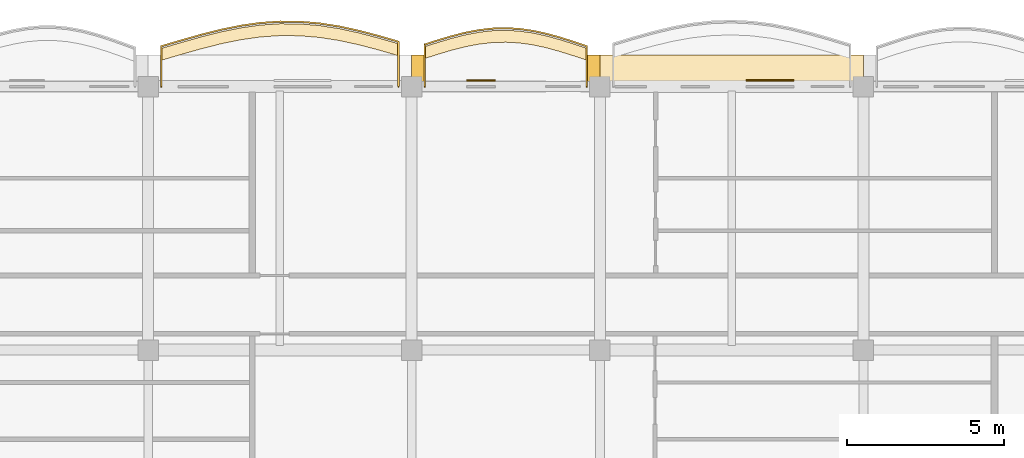
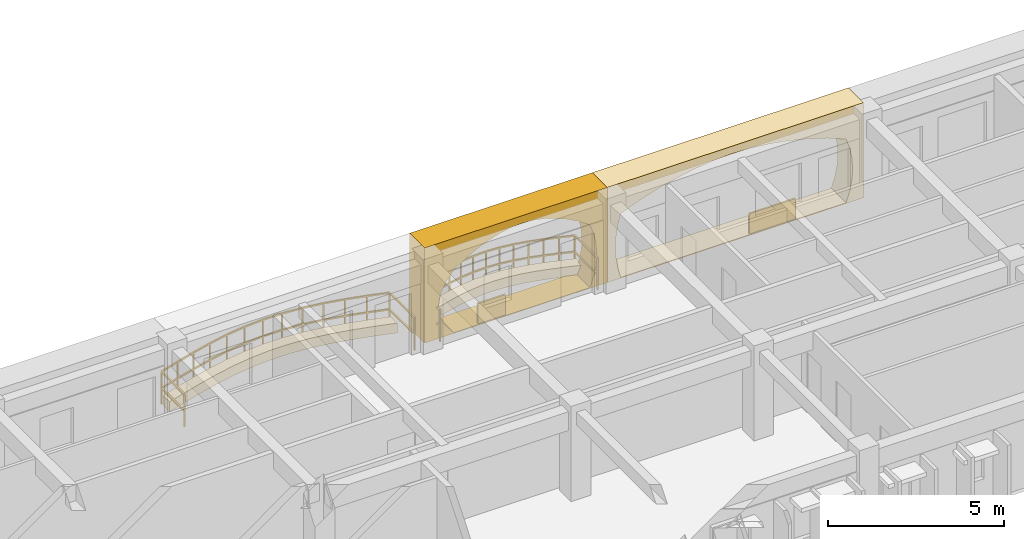
# One storey, part 66 of 79: 6 coverings, 2 railings.
"""IFC4 building model written with IfcOpenShell, lengths in metres."""

from ifc_helpers import new_model, si_unit, direction, frame, origin, origin_2d, place, context, subcontext, project, spatial, polyline, rectangle, outline, extrude, material, layer, layer_set, type_object, element, save


model = new_model("IFC4")

# Units and contexts
model_context = context("Model", 3, precision=1e-05, world=origin(), true_north=direction((0.0, 1.0)))
body_context = subcontext(model_context, "Body", "Model", "MODEL_VIEW")
ifc_project = project(units=[si_unit("LENGTHUNIT", "METRE"), si_unit("AREAUNIT", "SQUARE_METRE"), si_unit("VOLUMEUNIT", "CUBIC_METRE"), si_unit("PLANEANGLEUNIT", "RADIAN"), si_unit("MASSUNIT", "GRAM", prefix="KILO"), si_unit("THERMODYNAMICTEMPERATUREUNIT", "KELVIN")], contexts=[model_context])

# Site, building, storey
site_placement = place(None, origin())
site = spatial("IfcSite", under=ifc_project, at=site_placement, CompositionType="ELEMENT")
building_placement = place(site_placement, origin())
building = spatial("IfcBuilding", under=site, at=building_placement, Name="Thalorik Housing Commons", CompositionType="ELEMENT")
storey_placement = place(building_placement, frame((0.0, 0.0, 11.39990234375)))
storey = spatial("IfcBuildingStorey", under=building, at=storey_placement, Name="L03", CompositionType="ELEMENT", Elevation=11.39990234375)

# Coverings
ifc_material_1 = material(Name="Cobalt blue glazed ceramic facade tile panel", Category="masonry")
ifc_layer_1 = layer(ifc_material_1, 0.06005859375, Name="Cobalt blue glazed ceramic facade tile panel", Category="masonry")
ifc_layer_set_1 = layer_set([ifc_layer_1], Name="Cobalt blue glazed ceramic facade tile panel")
covering_type_1 = type_object("IfcCoveringType", Name="ARC-CLD-BLU-60", PredefinedType="CLADDING", material=ifc_layer_set_1)
covering_1_placement = place(storey_placement, frame((111.409912109375, 123.794921875, 0.05029296875), z_axis=(0.0, 0.0, 1.0), x_axis=(-1.0, 0.0, 0.0)))
element("IfcCovering", 1, at=covering_1_placement, inside=storey, type_object=covering_type_1, Name="L03 De Stijl Recessed Window Spandrel 1865", PredefinedType="CLADDING", context=body_context, shape_type="SweptSolid", body=[
    extrude(rectangle(XDim=0.89990234375, YDim=0.06005859375, at=origin_2d()), origin(), (0.0, 0.0, 1.0), 0.699951171875),
])
ifc_material_2 = material(Name="Precast concrete C40/50", Category="concrete")
ifc_layer_2 = layer(ifc_material_2, 0.85009765625, Name="Precast concrete C40/50", Category="concrete")
ifc_layer_set_2 = layer_set([ifc_layer_2], Name="Precast concrete C40/50")
covering_type_2 = type_object("IfcCoveringType", Name="ARC-CLD-CUSH-850", PredefinedType="CLADDING", material=ifc_layer_set_2)
covering_2_placement = place(storey_placement, frame((119.39990234375, 124.18505859375, 0.0), z_axis=(0.0, 0.0, 1.0), x_axis=(-1.0, 0.0, 0.0)))
element("IfcCovering", 2, at=covering_2_placement, inside=storey, type_object=covering_type_2, Name="L03 White Precast Curved Cushion Bay Frame 1862", PredefinedType="CLADDING", context=body_context, shape_type="SweptSolid", body=[
    extrude(outline(polyline([(-4.199951171875, 0.0), (4.199951171875, 0.0), (4.199951171875, 3.300048828125), (-4.199951171875, 3.300048828125), (-4.199951171875, 0.0)]), holes=[polyline([(3.7666015625, 0.02490234375), (3.858154296875, 0.394287109375), (3.9130859375, 0.76318359375), (3.931396484375, 1.132568359375), (3.9130859375, 1.501708984375), (3.858154296875, 1.870849609375), (3.7666015625, 2.239990234375), (3.150146484375, 2.4833984375), (2.53369140625, 2.6748046875), (1.91748046875, 2.82958984375), (1.301025390625, 2.94482421875), (0.684814453125, 3.01611328125), (0.068359375, 3.0400390625), (-0.548095703125, 3.01611328125), (-1.16455078125, 2.94482421875), (-1.781005859375, 2.82958984375), (-2.397216796875, 2.6748046875), (-3.013671875, 2.4833984375), (-3.6298828125, 2.239990234375), (-3.750244140625, 1.870849609375), (-3.822509765625, 1.501708984375), (-3.8466796875, 1.132568359375), (-3.822509765625, 0.76318359375), (-3.750244140625, 0.394287109375), (-3.6298828125, 0.02490234375), (3.7666015625, 0.02490234375)])]), frame((0.0, 0.425048828125, 0.0), z_axis=(0.0, -1.0, 0.0), x_axis=(1.0, 0.0, 0.0)), (0.0, 0.0, 1.0), 0.85009765625),
])
covering_3_placement = place(storey_placement, frame((112.199951171875, 124.18505859375, 0.0), z_axis=(0.0, 0.0, 1.0), x_axis=(-1.0, 0.0, 0.0)))
element("IfcCovering", 3, at=covering_3_placement, inside=storey, type_object=covering_type_2, Name="L03 White Precast Curved Cushion Bay Frame 1864", PredefinedType="CLADDING", context=body_context, shape_type="SweptSolid", body=[
    extrude(outline(polyline([(-3.0, 0.0), (3.0, 0.0), (3.0, 3.300048828125), (-3.0, 3.300048828125), (-3.0, 0.0)]), holes=[polyline([(2.0400390625, 0.02490234375), (2.3232421875, 0.387451171875), (2.493408203125, 0.75), (2.550048828125, 1.112548828125), (2.493408203125, 1.47509765625), (2.3232421875, 1.83740234375), (2.0400390625, 2.199951171875), (1.66748046875, 2.455810546875), (1.294921875, 2.656494140625), (0.922607421875, 2.819091796875), (0.550048828125, 2.940185546875), (0.177490234375, 3.014892578125), (-0.195068359375, 3.0400390625), (-0.5673828125, 3.014892578125), (-0.93994140625, 2.940185546875), (-1.3125, 2.819091796875), (-1.68505859375, 2.656494140625), (-2.0576171875, 2.455810546875), (-2.429931640625, 2.199951171875), (-2.55029296875, 1.83740234375), (-2.62255859375, 1.47509765625), (-2.646484375, 1.112548828125), (-2.62255859375, 0.75), (-2.55029296875, 0.387451171875), (-2.429931640625, 0.02490234375), (2.0400390625, 0.02490234375)])]), frame((0.0, 0.425048828125, 0.0), z_axis=(0.0, -1.0, 0.0), x_axis=(1.0, 0.0, 0.0)), (0.0, 0.0, 1.0), 0.85009765625),
])
ifc_material_3 = material(Name="Terracotta red mineral fibre-cement panel", Category="masonry")
ifc_layer_3 = layer(ifc_material_3, 0.054931640625, Name="Terracotta red mineral fibre-cement panel", Category="masonry")
ifc_layer_set_3 = layer_set([ifc_layer_3], Name="Terracotta red mineral fibre-cement panel")
covering_type_3 = type_object("IfcCoveringType", Name="ARC-CLD-RED-55", PredefinedType="CLADDING", material=ifc_layer_set_3)
covering_4_placement = place(storey_placement, frame((120.619140625, 123.79248046875, 0.05029296875), z_axis=(0.0, 0.0, 1.0), x_axis=(-1.0, 0.0, 0.0)))
element("IfcCovering", 4, at=covering_4_placement, inside=storey, type_object=covering_type_3, Name="L03 De Stijl Recessed Window Spandrel 1863", PredefinedType="CLADDING", context=body_context, shape_type="SweptSolid", body=[
    extrude(rectangle(XDim=1.52001953125, YDim=0.054931640625, at=origin_2d()), origin(), (0.0, 0.0, 1.0), 0.699951171875),
])
ifc_material_4 = material(Name="Planted vegetated substrate and terracotta trough", Category="masonry")
ifc_layer_4 = layer(ifc_material_4, 0.340087890625, Name="Planted vegetated substrate and terracotta trough", Category="masonry")
ifc_layer_set_4 = layer_set([ifc_layer_4], Name="Planted vegetated substrate and terracotta trough")
covering_type_4 = type_object("IfcCoveringType", Name="ARC-COV-PLANTER", PredefinedType="USERDEFINED", material=ifc_layer_set_4)
covering_5_placement = place(storey_placement, origin())
element("IfcCovering", 5, at=covering_5_placement, inside=storey, type_object=covering_type_4, Name="L03 Balcony Slab-Edge Planted Trough 5437", ObjectType="PLANTER", PredefinedType="USERDEFINED", context=body_context, shape_type="SweptSolid", body=[
    extrude(outline(polyline([(108.780029296875, 124.9638671875), (108.14990234375, 125.14697265625), (107.52001953125, 125.3125), (106.889892578125, 125.448974609375), (106.260009765625, 125.54736328125), (105.6298828125, 125.6005859375), (105.0, 125.60546875), (104.3701171875, 125.561279296875), (103.739990234375, 125.4716796875), (103.110107421875, 125.342529296875), (102.47998046875, 125.183349609375), (101.85009765625, 125.0048828125), (101.219970703125, 124.8193359375), (101.219970703125, 124.439453125), (101.85009765625, 124.624755859375), (102.47998046875, 124.80322265625), (103.110107421875, 124.962646484375), (103.739990234375, 125.091796875), (104.3701171875, 125.181396484375), (105.0, 125.225341796875), (105.6298828125, 125.220703125), (106.260009765625, 125.16748046875), (106.889892578125, 125.069091796875), (107.52001953125, 124.932373046875), (108.14990234375, 124.766845703125), (108.780029296875, 124.583740234375), (108.780029296875, 124.9638671875)])), origin(), (0.0, 0.0, 1.0), 0.340087890625),
])
covering_6_placement = place(storey_placement, origin())
element("IfcCovering", 6, at=covering_6_placement, inside=storey, type_object=covering_type_4, Name="L03 Balcony Slab-Edge Planted Trough 5438", ObjectType="PLANTER", PredefinedType="USERDEFINED", context=body_context, shape_type="SweptSolid", body=[
    extrude(outline(polyline([(114.780029296875, 124.82177734375), (114.35009765625, 124.964599609375), (113.919921875, 125.099853515625), (113.489990234375, 125.218017578125), (113.06005859375, 125.310791015625), (112.6298828125, 125.37158203125), (112.199951171875, 125.39599609375), (111.77001953125, 125.383056640625), (111.340087890625, 125.333251953125), (110.909912109375, 125.2509765625), (110.47998046875, 125.141845703125), (110.050048828125, 125.014404296875), (109.6201171875, 124.877197265625), (109.6201171875, 124.497314453125), (110.050048828125, 124.63427734375), (110.47998046875, 124.761962890625), (110.909912109375, 124.87109375), (111.340087890625, 124.953369140625), (111.77001953125, 125.0029296875), (112.199951171875, 125.01611328125), (112.6298828125, 124.991455078125), (113.06005859375, 124.930908203125), (113.489990234375, 124.838134765625), (113.919921875, 124.719970703125), (114.35009765625, 124.584716796875), (114.780029296875, 124.441650390625), (114.780029296875, 124.82177734375)])), origin(), (0.0, 0.0, 1.0), 0.340087890625),
])

# Railings
ifc_material_5 = material(Name="Steel S355", Category="steel")
railing_type_1 = type_object("IfcRailingType", Name="ARC-RL-BAL-112", PredefinedType="BALUSTRADE", material=ifc_material_5)
railing_1_placement = place(storey_placement, frame((114.780029296875, 123.60009765625, 0.0)))
element("IfcRailing", 7, at=railing_1_placement, inside=storey, type_object=railing_type_1, Name="L03 Cushion Balcony Guardrail 122", PredefinedType="BALUSTRADE", context=body_context, shape_type="SweptSolid", body=[
    extrude(rectangle(XDim=0.050048828125, YDim=0.050048828125, at=origin_2d()), frame((0.0, 0.0, 1.09521484375), z_axis=(0.0, 1.0, 0.0), x_axis=(-1.0, 0.0, 0.0)), (0.0, 0.0, 1.0), 1.29150390625),
    extrude(rectangle(XDim=0.050048828125, YDim=0.050048828125, at=origin_2d()), frame((0.0, 0.0, 0.53515625), z_axis=(0.0, 1.0, 0.0), x_axis=(-1.0, 0.0, 0.0)), (0.0, 0.0, 1.0), 1.29150390625),
    extrude(rectangle(XDim=0.050048828125, YDim=0.050048828125, at=origin_2d()), frame((0.0, 1.29150390625, 1.09521484375), z_axis=(-0.948844817182, 0.315742795496, 0.0), x_axis=(-0.315742795496, -0.948844817182, 0.0)), (0.0, 0.0, 1.0), 0.453125),
    extrude(rectangle(XDim=0.050048828125, YDim=0.050048828125, at=origin_2d()), frame((0.0, 1.29150390625, 0.53515625), z_axis=(-0.948844817182, 0.315742795496, 0.0), x_axis=(-0.315742795496, -0.948844817182, 0.0)), (0.0, 0.0, 1.0), 0.453125),
    extrude(rectangle(XDim=0.050048828125, YDim=0.050048828125, at=origin_2d()), frame((-0.429931640625, 1.4345703125, 1.09521484375), z_axis=(-0.953958313689, 0.299939220082, 0.0), x_axis=(-0.299939220082, -0.953958313689, 0.0)), (0.0, 0.0, 1.0), 0.450927734375),
    extrude(rectangle(XDim=0.050048828125, YDim=0.050048828125, at=origin_2d()), frame((-0.429931640625, 1.4345703125, 0.53515625), z_axis=(-0.953958313689, 0.299939220082, 0.0), x_axis=(-0.299939220082, -0.953958313689, 0.0)), (0.0, 0.0, 1.0), 0.450927734375),
    extrude(rectangle(XDim=0.050048828125, YDim=0.050048828125, at=origin_2d()), frame((-0.860107421875, 1.56982421875, 1.09521484375), z_axis=(-0.964243880098, 0.265016489476, 0.0), x_axis=(-0.265016489476, -0.964243880098, 0.0)), (0.0, 0.0, 1.0), 0.44580078125),
    extrude(rectangle(XDim=0.050048828125, YDim=0.050048828125, at=origin_2d()), frame((-0.860107421875, 1.56982421875, 0.53515625), z_axis=(-0.964243880098, 0.265016489476, 0.0), x_axis=(-0.265016489476, -0.964243880098, 0.0)), (0.0, 0.0, 1.0), 0.44580078125),
    extrude(rectangle(XDim=0.050048828125, YDim=0.050048828125, at=origin_2d()), frame((-1.2900390625, 1.68798828125, 1.09521484375), z_axis=(-0.977500851063, 0.210931472688, 0.0), x_axis=(-0.210931472688, -0.977500851063, 0.0)), (0.0, 0.0, 1.0), 0.43994140625),
    extrude(rectangle(XDim=0.050048828125, YDim=0.050048828125, at=origin_2d()), frame((-1.2900390625, 1.68798828125, 0.53515625), z_axis=(-0.977500851063, 0.210931472688, 0.0), x_axis=(-0.210931472688, -0.977500851063, 0.0)), (0.0, 0.0, 1.0), 0.43994140625),
    extrude(rectangle(XDim=0.050048828125, YDim=0.050048828125, at=origin_2d()), frame((-1.719970703125, 1.78076171875, 1.09521484375), z_axis=(-0.990239618738, 0.139375383341, 0.0), x_axis=(-0.139375383341, -0.990239618738, 0.0)), (0.0, 0.0, 1.0), 0.434326171875),
    extrude(rectangle(XDim=0.050048828125, YDim=0.050048828125, at=origin_2d()), frame((-1.719970703125, 1.78076171875, 0.53515625), z_axis=(-0.990239618738, 0.139375383341, 0.0), x_axis=(-0.139375383341, -0.990239618738, 0.0)), (0.0, 0.0, 1.0), 0.434326171875),
    extrude(rectangle(XDim=0.050048828125, YDim=0.050048828125, at=origin_2d()), frame((-2.150146484375, 1.84130859375, 1.09521484375), z_axis=(-0.998359318778, 0.057259677, 0.0), x_axis=(-0.057259677, -0.998359318778, 0.0)), (0.0, 0.0, 1.0), 0.4306640625),
    extrude(rectangle(XDim=0.050048828125, YDim=0.050048828125, at=origin_2d()), frame((-2.150146484375, 1.84130859375, 0.53515625), z_axis=(-0.998359318778, 0.057259677, 0.0), x_axis=(-0.057259677, -0.998359318778, 0.0)), (0.0, 0.0, 1.0), 0.4306640625),
    extrude(rectangle(XDim=0.050048828125, YDim=0.050048828125, at=origin_2d()), frame((-2.580078125, 1.865966796875, 1.09521484375), z_axis=(-0.999530178738, -0.030649988445, 0.0), x_axis=(0.030649988445, -0.999530178738, 0.0)), (0.0, 0.0, 1.0), 0.43017578125),
    extrude(rectangle(XDim=0.050048828125, YDim=0.050048828125, at=origin_2d()), frame((-2.580078125, 1.865966796875, 0.53515625), z_axis=(-0.999530178738, -0.030649988445, 0.0), x_axis=(0.030649988445, -0.999530178738, 0.0)), (0.0, 0.0, 1.0), 0.43017578125),
    extrude(rectangle(XDim=0.050048828125, YDim=0.050048828125, at=origin_2d()), frame((-3.010009765625, 1.852783203125, 1.09521484375), z_axis=(-0.993421283169, -0.114517047407, 0.0), x_axis=(0.114517047407, -0.993421283169, 0.0)), (0.0, 0.0, 1.0), 0.432861328125),
    extrude(rectangle(XDim=0.050048828125, YDim=0.050048828125, at=origin_2d()), frame((-3.010009765625, 1.852783203125, 0.53515625), z_axis=(-0.993421283169, -0.114517047407, 0.0), x_axis=(0.114517047407, -0.993421283169, 0.0)), (0.0, 0.0, 1.0), 0.432861328125),
    extrude(rectangle(XDim=0.050048828125, YDim=0.050048828125, at=origin_2d()), frame((-3.43994140625, 1.80322265625, 1.09521484375), z_axis=(-0.98219679274, -0.187854891688, 0.0), x_axis=(0.187854891688, -0.98219679274, 0.0)), (0.0, 0.0, 1.0), 0.43798828125),
    extrude(rectangle(XDim=0.050048828125, YDim=0.050048828125, at=origin_2d()), frame((-3.43994140625, 1.80322265625, 0.53515625), z_axis=(-0.98219679274, -0.187854891688, 0.0), x_axis=(0.187854891688, -0.98219679274, 0.0)), (0.0, 0.0, 1.0), 0.43798828125),
    extrude(rectangle(XDim=0.050048828125, YDim=0.050048828125, at=origin_2d()), frame((-3.8701171875, 1.720947265625, 1.09521484375), z_axis=(-0.969262026984, -0.246030735981, 0.0), x_axis=(0.246030735981, -0.969262026984, 0.0)), (0.0, 0.0, 1.0), 0.443603515625),
    extrude(rectangle(XDim=0.050048828125, YDim=0.050048828125, at=origin_2d()), frame((-3.8701171875, 1.720947265625, 0.53515625), z_axis=(-0.969262026984, -0.246030735981, 0.0), x_axis=(0.246030735981, -0.969262026984, 0.0)), (0.0, 0.0, 1.0), 0.443603515625),
    extrude(rectangle(XDim=0.050048828125, YDim=0.050048828125, at=origin_2d()), frame((-4.300048828125, 1.61181640625, 1.09521484375), z_axis=(-0.958616693349, -0.284699903817, 0.0), x_axis=(0.284699903817, -0.958616693349, 0.0)), (0.0, 0.0, 1.0), 0.448486328125),
    extrude(rectangle(XDim=0.050048828125, YDim=0.050048828125, at=origin_2d()), frame((-4.300048828125, 1.61181640625, 0.53515625), z_axis=(-0.958616693349, -0.284699903817, 0.0), x_axis=(0.284699903817, -0.958616693349, 0.0)), (0.0, 0.0, 1.0), 0.448486328125),
    extrude(rectangle(XDim=0.050048828125, YDim=0.050048828125, at=origin_2d()), frame((-4.72998046875, 1.484130859375, 1.09521484375), z_axis=(-0.952819131931, -0.30353863317, 0.0), x_axis=(0.30353863317, -0.952819131931, 0.0)), (0.0, 0.0, 1.0), 0.451171875),
    extrude(rectangle(XDim=0.050048828125, YDim=0.050048828125, at=origin_2d()), frame((-4.72998046875, 1.484130859375, 0.53515625), z_axis=(-0.952819131931, -0.30353863317, 0.0), x_axis=(0.30353863317, -0.952819131931, 0.0)), (0.0, 0.0, 1.0), 0.451171875),
    extrude(rectangle(XDim=0.050048828125, YDim=0.050048828125, at=origin_2d()), frame((-5.159912109375, 1.34716796875, 1.09521484375), z_axis=(0.0, -1.0, 0.0), x_axis=(1.0, 0.0, 0.0)), (0.0, 0.0, 1.0), 1.34716796875),
    extrude(rectangle(XDim=0.050048828125, YDim=0.050048828125, at=origin_2d()), frame((-5.159912109375, 1.34716796875, 0.53515625), z_axis=(0.0, -1.0, 0.0), x_axis=(1.0, 0.0, 0.0)), (0.0, 0.0, 1.0), 1.34716796875),
    extrude(rectangle(XDim=0.0419921875, YDim=0.0419921875, at=origin_2d()), origin(), (0.0, 0.0, 1.0), 1.070068359375),
    extrude(rectangle(XDim=0.0419921875, YDim=0.0419921875, at=origin_2d()), frame((0.0, 1.29150390625, 0.0)), (0.0, 0.0, 1.0), 1.070068359375),
    extrude(rectangle(XDim=0.0419921875, YDim=0.0419921875, at=origin_2d()), frame((-0.429931640625, 1.4345703125, 0.0)), (0.0, 0.0, 1.0), 1.070068359375),
    extrude(rectangle(XDim=0.0419921875, YDim=0.0419921875, at=origin_2d()), frame((-0.860107421875, 1.56982421875, 0.0)), (0.0, 0.0, 1.0), 1.070068359375),
    extrude(rectangle(XDim=0.0419921875, YDim=0.0419921875, at=origin_2d()), frame((-1.2900390625, 1.68798828125, 0.0)), (0.0, 0.0, 1.0), 1.070068359375),
    extrude(rectangle(XDim=0.0419921875, YDim=0.0419921875, at=origin_2d()), frame((-1.719970703125, 1.78076171875, 0.0)), (0.0, 0.0, 1.0), 1.070068359375),
    extrude(rectangle(XDim=0.0419921875, YDim=0.0419921875, at=origin_2d()), frame((-2.150146484375, 1.84130859375, 0.0)), (0.0, 0.0, 1.0), 1.070068359375),
    extrude(rectangle(XDim=0.0419921875, YDim=0.0419921875, at=origin_2d()), frame((-2.580078125, 1.865966796875, 0.0)), (0.0, 0.0, 1.0), 1.070068359375),
    extrude(rectangle(XDim=0.0419921875, YDim=0.0419921875, at=origin_2d()), frame((-3.010009765625, 1.852783203125, 0.0)), (0.0, 0.0, 1.0), 1.070068359375),
    extrude(rectangle(XDim=0.0419921875, YDim=0.0419921875, at=origin_2d()), frame((-3.43994140625, 1.80322265625, 0.0)), (0.0, 0.0, 1.0), 1.070068359375),
    extrude(rectangle(XDim=0.0419921875, YDim=0.0419921875, at=origin_2d()), frame((-3.8701171875, 1.720947265625, 0.0)), (0.0, 0.0, 1.0), 1.070068359375),
    extrude(rectangle(XDim=0.0419921875, YDim=0.0419921875, at=origin_2d()), frame((-4.300048828125, 1.61181640625, 0.0)), (0.0, 0.0, 1.0), 1.070068359375),
    extrude(rectangle(XDim=0.0419921875, YDim=0.0419921875, at=origin_2d()), frame((-4.72998046875, 1.484130859375, 0.0)), (0.0, 0.0, 1.0), 1.070068359375),
    extrude(rectangle(XDim=0.0419921875, YDim=0.0419921875, at=origin_2d()), frame((-5.159912109375, 1.34716796875, 0.0)), (0.0, 0.0, 1.0), 1.070068359375),
    extrude(rectangle(XDim=0.0419921875, YDim=0.0419921875, at=origin_2d()), frame((-5.159912109375, 0.0, 0.0)), (0.0, 0.0, 1.0), 1.070068359375),
])
railing_type_2 = type_object("IfcRailingType", Name="ARC-RL-BAL-115", PredefinedType="BALUSTRADE", material=ifc_material_5)
railing_2_placement = place(storey_placement, frame((108.780029296875, 123.60009765625, 0.0)))
element("IfcRailing", 8, at=railing_2_placement, inside=storey, type_object=railing_type_2, Name="L03 Cushion Balcony Guardrail 121", PredefinedType="BALUSTRADE", context=body_context, shape_type="SweptSolid", body=[
    extrude(rectangle(XDim=0.050048828125, YDim=0.050048828125, at=origin_2d()), frame((0.0, 0.0, 1.125), z_axis=(0.0, 1.0, 0.0), x_axis=(-1.0, 0.0, 0.0)), (0.0, 0.0, 1.0), 1.43359375),
    extrude(rectangle(XDim=0.050048828125, YDim=0.050048828125, at=origin_2d()), frame((0.0, 0.0, 0.5498046875), z_axis=(0.0, 1.0, 0.0), x_axis=(-1.0, 0.0, 0.0)), (0.0, 0.0, 1.0), 1.43359375),
    extrude(rectangle(XDim=0.050048828125, YDim=0.050048828125, at=origin_2d()), frame((0.0, 1.43359375, 1.125), z_axis=(-0.960278714224, 0.279042632959, 0.0), x_axis=(-0.279042632959, -0.960278714224, 0.0)), (0.0, 0.0, 1.0), 0.65625),
    extrude(rectangle(XDim=0.050048828125, YDim=0.050048828125, at=origin_2d()), frame((0.0, 1.43359375, 0.5498046875), z_axis=(-0.960278714224, 0.279042632959, 0.0), x_axis=(-0.279042632959, -0.960278714224, 0.0)), (0.0, 0.0, 1.0), 0.65625),
    extrude(rectangle(XDim=0.050048828125, YDim=0.050048828125, at=origin_2d()), frame((-0.630126953125, 1.61669921875, 1.125), z_axis=(-0.967161884904, 0.254161146498, 0.0), x_axis=(-0.254161146498, -0.967161884904, 0.0)), (0.0, 0.0, 1.0), 0.6513671875),
    extrude(rectangle(XDim=0.050048828125, YDim=0.050048828125, at=origin_2d()), frame((-0.630126953125, 1.61669921875, 0.5498046875), z_axis=(-0.967161884904, 0.254161146498, 0.0), x_axis=(-0.254161146498, -0.967161884904, 0.0)), (0.0, 0.0, 1.0), 0.6513671875),
    extrude(rectangle(XDim=0.050048828125, YDim=0.050048828125, at=origin_2d()), frame((-1.260009765625, 1.7822265625, 1.125), z_axis=(-0.977261717402, 0.212036637638, 0.0), x_axis=(-0.212036637638, -0.977261717402, 0.0)), (0.0, 0.0, 1.0), 0.644775390625),
    extrude(rectangle(XDim=0.050048828125, YDim=0.050048828125, at=origin_2d()), frame((-1.260009765625, 1.7822265625, 0.5498046875), z_axis=(-0.977261717402, 0.212036637638, 0.0), x_axis=(-0.212036637638, -0.977261717402, 0.0)), (0.0, 0.0, 1.0), 0.644775390625),
    extrude(rectangle(XDim=0.050048828125, YDim=0.050048828125, at=origin_2d()), frame((-1.89013671875, 1.9189453125, 1.125), z_axis=(-0.988019333947, 0.154330151775, 0.0), x_axis=(-0.154330151775, -0.988019333947, 0.0)), (0.0, 0.0, 1.0), 0.637451171875),
    extrude(rectangle(XDim=0.050048828125, YDim=0.050048828125, at=origin_2d()), frame((-1.89013671875, 1.9189453125, 0.5498046875), z_axis=(-0.988019333947, 0.154330151775, 0.0), x_axis=(-0.154330151775, -0.988019333947, 0.0)), (0.0, 0.0, 1.0), 0.637451171875),
    extrude(rectangle(XDim=0.050048828125, YDim=0.050048828125, at=origin_2d()), frame((-2.52001953125, 2.017333984375, 1.125), z_axis=(-0.996451941002, 0.084163705207, 0.0), x_axis=(-0.084163705207, -0.996451941002, 0.0)), (0.0, 0.0, 1.0), 0.63232421875),
    extrude(rectangle(XDim=0.050048828125, YDim=0.050048828125, at=origin_2d()), frame((-2.52001953125, 2.017333984375, 0.5498046875), z_axis=(-0.996451941002, 0.084163705207, 0.0), x_axis=(-0.084163705207, -0.996451941002, 0.0)), (0.0, 0.0, 1.0), 0.63232421875),
    extrude(rectangle(XDim=0.050048828125, YDim=0.050048828125, at=origin_2d()), frame((-3.150146484375, 2.070556640625, 1.125), z_axis=(-0.999972884343, 0.007364141396, 0.0), x_axis=(-0.007364141396, -0.999972884343, 0.0)), (0.0, 0.0, 1.0), 0.6298828125),
    extrude(rectangle(XDim=0.050048828125, YDim=0.050048828125, at=origin_2d()), frame((-3.150146484375, 2.070556640625, 0.5498046875), z_axis=(-0.999972884343, 0.007364141396, 0.0), x_axis=(-0.007364141396, -0.999972884343, 0.0)), (0.0, 0.0, 1.0), 0.6298828125),
    extrude(rectangle(XDim=0.050048828125, YDim=0.050048828125, at=origin_2d()), frame((-3.780029296875, 2.0751953125, 1.125), z_axis=(-0.997575100836, -0.069598262849, 0.0), x_axis=(0.069598262849, -0.997575100836, 0.0)), (0.0, 0.0, 1.0), 0.63134765625),
    extrude(rectangle(XDim=0.050048828125, YDim=0.050048828125, at=origin_2d()), frame((-3.780029296875, 2.0751953125, 0.5498046875), z_axis=(-0.997575100836, -0.069598262849, 0.0), x_axis=(0.069598262849, -0.997575100836, 0.0)), (0.0, 0.0, 1.0), 0.63134765625),
    extrude(rectangle(XDim=0.050048828125, YDim=0.050048828125, at=origin_2d()), frame((-4.409912109375, 2.03125, 1.125), z_axis=(-0.990041345096, -0.140776897966, 0.0), x_axis=(0.140776897966, -0.990041345096, 0.0)), (0.0, 0.0, 1.0), 0.636474609375),
    extrude(rectangle(XDim=0.050048828125, YDim=0.050048828125, at=origin_2d()), frame((-4.409912109375, 2.03125, 0.5498046875), z_axis=(-0.990041345096, -0.140776897966, 0.0), x_axis=(0.140776897966, -0.990041345096, 0.0)), (0.0, 0.0, 1.0), 0.636474609375),
    extrude(rectangle(XDim=0.050048828125, YDim=0.050048828125, at=origin_2d()), frame((-5.0400390625, 1.941650390625, 1.125), z_axis=(-0.979619945128, -0.200860058517, 0.0), x_axis=(0.200860058517, -0.979619945128, 0.0)), (0.0, 0.0, 1.0), 0.64306640625),
    extrude(rectangle(XDim=0.050048828125, YDim=0.050048828125, at=origin_2d()), frame((-5.0400390625, 1.941650390625, 0.5498046875), z_axis=(-0.979619945128, -0.200860058517, 0.0), x_axis=(0.200860058517, -0.979619945128, 0.0)), (0.0, 0.0, 1.0), 0.64306640625),
    extrude(rectangle(XDim=0.050048828125, YDim=0.050048828125, at=origin_2d()), frame((-5.669921875, 1.8125, 1.125), z_axis=(-0.969542950291, -0.244921349705, 0.0), x_axis=(0.244921349705, -0.969542950291, 0.0)), (0.0, 0.0, 1.0), 0.64990234375),
    extrude(rectangle(XDim=0.050048828125, YDim=0.050048828125, at=origin_2d()), frame((-5.669921875, 1.8125, 0.5498046875), z_axis=(-0.969542950291, -0.244921349705, 0.0), x_axis=(0.244921349705, -0.969542950291, 0.0)), (0.0, 0.0, 1.0), 0.64990234375),
    extrude(rectangle(XDim=0.050048828125, YDim=0.050048828125, at=origin_2d()), frame((-6.300048828125, 1.6533203125, 1.125), z_axis=(-0.962028866252, -0.272947724844, 0.0), x_axis=(0.272947724844, -0.962028866252, 0.0)), (0.0, 0.0, 1.0), 0.65478515625),
    extrude(rectangle(XDim=0.050048828125, YDim=0.050048828125, at=origin_2d()), frame((-6.300048828125, 1.6533203125, 0.5498046875), z_axis=(-0.962028866252, -0.272947724844, 0.0), x_axis=(0.272947724844, -0.962028866252, 0.0)), (0.0, 0.0, 1.0), 0.65478515625),
    extrude(rectangle(XDim=0.050048828125, YDim=0.050048828125, at=origin_2d()), frame((-6.929931640625, 1.474609375, 1.125), z_axis=(-0.959377338549, -0.282126075149, 0.0), x_axis=(0.282126075149, -0.959377338549, 0.0)), (0.0, 0.0, 1.0), 0.65673828125),
    extrude(rectangle(XDim=0.050048828125, YDim=0.050048828125, at=origin_2d()), frame((-6.929931640625, 1.474609375, 0.5498046875), z_axis=(-0.959377338549, -0.282126075149, 0.0), x_axis=(0.282126075149, -0.959377338549, 0.0)), (0.0, 0.0, 1.0), 0.65673828125),
    extrude(rectangle(XDim=0.050048828125, YDim=0.050048828125, at=origin_2d()), frame((-7.56005859375, 1.289306640625, 1.125), z_axis=(0.0, -1.0, 0.0), x_axis=(1.0, 0.0, 0.0)), (0.0, 0.0, 1.0), 1.289306640625),
    extrude(rectangle(XDim=0.050048828125, YDim=0.050048828125, at=origin_2d()), frame((-7.56005859375, 1.289306640625, 0.5498046875), z_axis=(0.0, -1.0, 0.0), x_axis=(1.0, 0.0, 0.0)), (0.0, 0.0, 1.0), 1.289306640625),
    extrude(rectangle(XDim=0.0419921875, YDim=0.0419921875, at=origin_2d()), origin(), (0.0, 0.0, 1.0), 1.099853515625),
    extrude(rectangle(XDim=0.0419921875, YDim=0.0419921875, at=origin_2d()), frame((0.0, 1.43359375, 0.0)), (0.0, 0.0, 1.0), 1.099853515625),
    extrude(rectangle(XDim=0.0419921875, YDim=0.0419921875, at=origin_2d()), frame((-0.630126953125, 1.61669921875, 0.0)), (0.0, 0.0, 1.0), 1.099853515625),
    extrude(rectangle(XDim=0.0419921875, YDim=0.0419921875, at=origin_2d()), frame((-1.260009765625, 1.7822265625, 0.0)), (0.0, 0.0, 1.0), 1.099853515625),
    extrude(rectangle(XDim=0.0419921875, YDim=0.0419921875, at=origin_2d()), frame((-1.89013671875, 1.9189453125, 0.0)), (0.0, 0.0, 1.0), 1.099853515625),
    extrude(rectangle(XDim=0.0419921875, YDim=0.0419921875, at=origin_2d()), frame((-2.52001953125, 2.017333984375, 0.0)), (0.0, 0.0, 1.0), 1.099853515625),
    extrude(rectangle(XDim=0.0419921875, YDim=0.0419921875, at=origin_2d()), frame((-3.150146484375, 2.070556640625, 0.0)), (0.0, 0.0, 1.0), 1.099853515625),
    extrude(rectangle(XDim=0.0419921875, YDim=0.0419921875, at=origin_2d()), frame((-3.780029296875, 2.0751953125, 0.0)), (0.0, 0.0, 1.0), 1.099853515625),
    extrude(rectangle(XDim=0.0419921875, YDim=0.0419921875, at=origin_2d()), frame((-4.409912109375, 2.03125, 0.0)), (0.0, 0.0, 1.0), 1.099853515625),
    extrude(rectangle(XDim=0.0419921875, YDim=0.0419921875, at=origin_2d()), frame((-5.0400390625, 1.941650390625, 0.0)), (0.0, 0.0, 1.0), 1.099853515625),
    extrude(rectangle(XDim=0.0419921875, YDim=0.0419921875, at=origin_2d()), frame((-5.669921875, 1.8125, 0.0)), (0.0, 0.0, 1.0), 1.099853515625),
    extrude(rectangle(XDim=0.0419921875, YDim=0.0419921875, at=origin_2d()), frame((-6.300048828125, 1.6533203125, 0.0)), (0.0, 0.0, 1.0), 1.099853515625),
    extrude(rectangle(XDim=0.0419921875, YDim=0.0419921875, at=origin_2d()), frame((-6.929931640625, 1.474609375, 0.0)), (0.0, 0.0, 1.0), 1.099853515625),
    extrude(rectangle(XDim=0.0419921875, YDim=0.0419921875, at=origin_2d()), frame((-7.56005859375, 1.289306640625, 0.0)), (0.0, 0.0, 1.0), 1.099853515625),
    extrude(rectangle(XDim=0.0419921875, YDim=0.0419921875, at=origin_2d()), frame((-7.56005859375, 0.0, 0.0)), (0.0, 0.0, 1.0), 1.099853515625),
])

save(model, "model.ifc")
